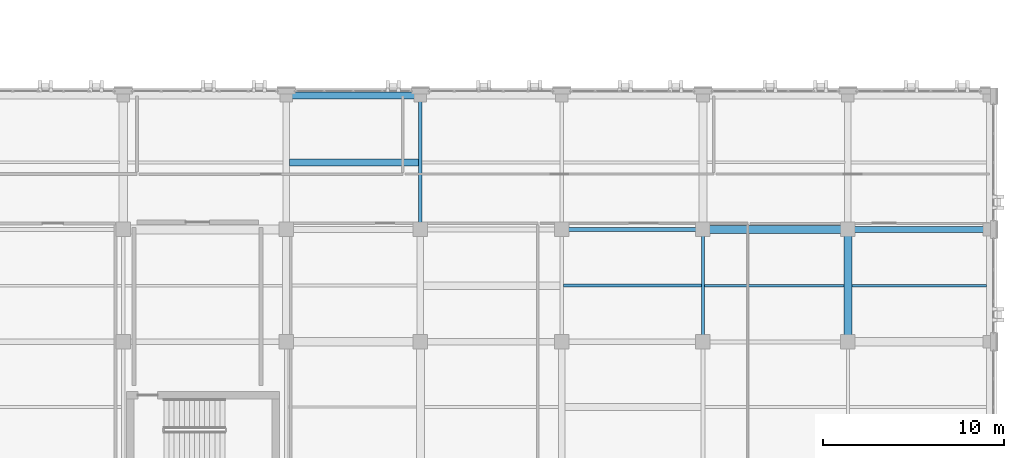
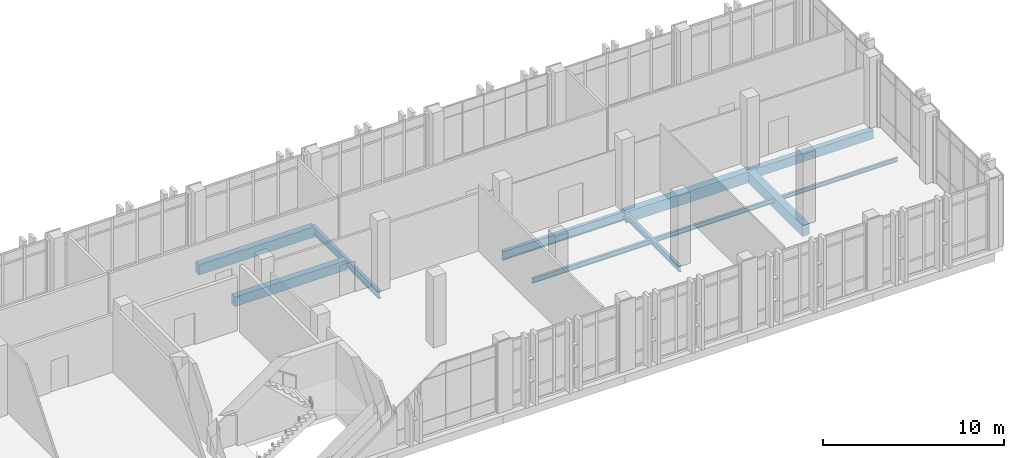
# One storey, part 120 of 189: 11 beams.
"""IFC4 building model written with IfcOpenShell, lengths in metres."""

from ifc_helpers import new_model, si_unit, direction, frame, origin, origin_2d, place, context, subcontext, project, spatial, rectangle, i_section, extrude, material, material_profile, profile_set, type_object, element, save


model = new_model("IFC4")

# Units and contexts
model_context = context("Model", 3, precision=1e-05, world=origin(), true_north=direction((0.0, 1.0)))
body_context = subcontext(model_context, "Body", "Model", "MODEL_VIEW")
ifc_project = project(units=[si_unit("LENGTHUNIT", "METRE"), si_unit("AREAUNIT", "SQUARE_METRE"), si_unit("VOLUMEUNIT", "CUBIC_METRE"), si_unit("PLANEANGLEUNIT", "RADIAN"), si_unit("MASSUNIT", "GRAM", prefix="KILO")], contexts=[model_context])

# Site, building, storey
site_placement = place(None, origin())
site = spatial("IfcSite", under=ifc_project, at=site_placement, CompositionType="ELEMENT")
building_placement = place(site_placement, origin())
building = spatial("IfcBuilding", under=site, at=building_placement, Name="Qalavern Law Courts", CompositionType="ELEMENT")
storey_placement = place(building_placement, frame((0.0, 0.0, 5.39990234375)))
storey = spatial("IfcBuildingStorey", under=building, at=storey_placement, Name="L01", CompositionType="ELEMENT", Elevation=5.39990234375)

# Beams
ifc_material_1 = material(Name="Steel S355", Category="steel")
ifc_material_profile_1 = material_profile(ifc_material_1, i_section(OverallWidth=0.179931640625, OverallDepth=0.39990234375, WebThickness=0.008544921875, FlangeThickness=0.013427734375, FilletRadius=0.02099609375, at=origin_2d()), Name="IPE 400")
ifc_profile_set_1 = profile_set([ifc_material_profile_1], Name="Steel S355")
beam_type_1 = type_object("IfcBeamType", Name="STR-BM-IPE400", PredefinedType="BEAM", material=ifc_profile_set_1)
beam_1_placement = place(storey_placement, frame((149.800048828125, 8.60009765625, -0.5), z_axis=(0.0, 1.0, 0.0), x_axis=(-1.0, 0.0, 0.0)))
element("IfcBeam", 1, at=beam_1_placement, inside=storey, type_object=beam_type_1, Name="V6 Y-beam 7-2 L01", PredefinedType="BEAM", context=body_context, shape_type="SweptSolid", body=[
    extrude(i_section(OverallWidth=0.179931640625, OverallDepth=0.39990234375, WebThickness=0.008544921875, FlangeThickness=0.013427734375, FilletRadius=0.02099609375, at=origin_2d()), origin(), (0.0, 0.0, 1.0), 6.199951171875),
])
ifc_material_profile_2 = material_profile(ifc_material_1, i_section(OverallWidth=0.199951171875, OverallDepth=0.5, WebThickness=0.01025390625, FlangeThickness=0.01611328125, FilletRadius=0.02099609375, at=origin_2d()), Name="IPE 500")
ifc_profile_set_2 = profile_set([ifc_material_profile_2], Name="Steel S355")
beam_type_2 = type_object("IfcBeamType", Name="STR-BM-IPE500", PredefinedType="BEAM", material=ifc_profile_set_2)
beam_2_placement = place(storey_placement, frame((134.199951171875, 14.800048828125, -0.5498046875), z_axis=(0.0, 1.0, 0.0), x_axis=(-1.0, 0.0, 0.0)))
element("IfcBeam", 2, at=beam_2_placement, inside=storey, type_object=beam_type_2, Name="V6 Y-beam 5-3 L01", PredefinedType="BEAM", context=body_context, shape_type="SweptSolid", body=[
    extrude(i_section(OverallWidth=0.199951171875, OverallDepth=0.5, WebThickness=0.01025390625, FlangeThickness=0.01611328125, FilletRadius=0.02099609375, at=origin_2d()), origin(), (0.0, 0.0, 1.0), 7.39990234375),
])
ifc_material_profile_3 = material_profile(ifc_material_1, i_section(OverallWidth=0.219970703125, OverallDepth=0.60009765625, WebThickness=0.011962890625, FlangeThickness=0.01904296875, FilletRadius=0.02392578125, at=origin_2d()), Name="IPE 600")
ifc_profile_set_3 = profile_set([ifc_material_profile_3], Name="Steel S355")
beam_type_3 = type_object("IfcBeamType", Name="STR-BM-IPE600", PredefinedType="BEAM", material=ifc_profile_set_3)
beam_3_placement = place(storey_placement, frame((142.0, 14.800048828125, -0.599853515625), z_axis=(1.0, 0.0, 0.0), x_axis=(0.0, 1.0, 0.0)))
element("IfcBeam", 3, at=beam_3_placement, inside=storey, type_object=beam_type_3, Name="V6 X-beam 3-6 L01", PredefinedType="BEAM", context=body_context, shape_type="SweptSolid", body=[
    extrude(i_section(OverallWidth=0.219970703125, OverallDepth=0.60009765625, WebThickness=0.011962890625, FlangeThickness=0.01904296875, FilletRadius=0.02392578125, at=origin_2d()), origin(), (0.0, 0.0, 1.0), 7.800048828125),
])
ifc_material_2 = material(Name="Concrete C35/45", Category="concrete")
ifc_material_profile_4 = material_profile(ifc_material_2, rectangle(XDim=0.35009765625, YDim=0.60009765625, at=origin_2d()), Name="RC 350x600")
ifc_profile_set_4 = profile_set([ifc_material_profile_4], Name="Concrete C35/45")
beam_type_4 = type_object("IfcBeamType", Name="STR-BM-RC350x600", PredefinedType="BEAM", material=ifc_profile_set_4)
beam_4_placement = place(storey_placement, frame((157.800048828125, 14.800048828125, -0.599853515625), z_axis=(1.0, 0.0, 0.0), x_axis=(0.0, 1.0, 0.0)))
element("IfcBeam", 4, at=beam_4_placement, inside=storey, type_object=beam_type_4, Name="V6 X-beam 3-8 L01", PredefinedType="BEAM", context=body_context, shape_type="SweptSolid", body=[
    extrude(rectangle(XDim=0.35009765625, YDim=0.60009765625, at=origin_2d()), origin(), (0.0, 0.0, 1.0), 7.800048828125),
])
ifc_material_3 = material(Name="Concrete C40/50", Category="concrete")
ifc_material_profile_5 = material_profile(ifc_material_3, rectangle(XDim=0.449951171875, YDim=0.75, at=origin_2d()), Name="RC 450x750")
ifc_profile_set_5 = profile_set([ifc_material_profile_5], Name="Concrete C40/50")
beam_type_5 = type_object("IfcBeamType", Name="STR-BM-RC450x750", PredefinedType="BEAM", material=ifc_profile_set_5)
beam_5_placement = place(storey_placement, frame((149.800048828125, 14.800048828125, -0.6748046875), z_axis=(1.0, 0.0, 0.0), x_axis=(0.0, 1.0, 0.0)))
element("IfcBeam", 5, at=beam_5_placement, inside=storey, type_object=beam_type_5, Name="V6 X-beam 3-7 L01", PredefinedType="BEAM", context=body_context, shape_type="SweptSolid", body=[
    extrude(rectangle(XDim=0.449951171875, YDim=0.75, at=origin_2d()), origin(), (0.0, 0.0, 1.0), 8.0),
])
beam_6_placement = place(storey_placement, frame((157.800048828125, 8.60009765625, -0.6748046875), z_axis=(0.0, 1.0, 0.0), x_axis=(-1.0, 0.0, 0.0)))
element("IfcBeam", 6, at=beam_6_placement, inside=storey, type_object=beam_type_5, Name="V6 Y-beam 8-2 L01", PredefinedType="BEAM", context=body_context, shape_type="SweptSolid", body=[
    extrude(rectangle(XDim=0.449951171875, YDim=0.75, at=origin_2d()), origin(), (0.0, 0.0, 1.0), 6.199951171875),
])
ifc_material_profile_6 = material_profile(ifc_material_1, i_section(OverallWidth=0.135009765625, OverallDepth=0.27001953125, WebThickness=0.006591796875, FlangeThickness=0.01025390625, FilletRadius=0.014892578125, at=origin_2d()), Name="IPE 270")
ifc_profile_set_6 = profile_set([ifc_material_profile_6], Name="Steel S355")
beam_type_6 = type_object("IfcBeamType", Name="STR-JST-IPE270", PredefinedType="JOIST", material=ifc_profile_set_6)
beam_7_placement = place(storey_placement, frame((158.02294921875, 11.699951171875, -0.434814453125), z_axis=(1.0, 0.0, 0.0), x_axis=(0.0, 1.0, 0.0)))
element("IfcBeam", 7, at=beam_7_placement, inside=storey, type_object=beam_type_6, Name="V6 secondary joist 8.2.1 L01", PredefinedType="JOIST", context=body_context, shape_type="SweptSolid", body=[
    extrude(i_section(OverallWidth=0.135009765625, OverallDepth=0.27001953125, WebThickness=0.006591796875, FlangeThickness=0.01025390625, FilletRadius=0.014892578125, at=origin_2d()), origin(), (0.0, 0.0, 1.0), 7.428955078125),
])
ifc_material_profile_7 = material_profile(ifc_material_1, i_section(OverallWidth=0.14990234375, OverallDepth=0.300048828125, WebThickness=0.007080078125, FlangeThickness=0.0107421875, FilletRadius=0.014892578125, at=origin_2d()), Name="IPE 300")
ifc_profile_set_7 = profile_set([ifc_material_profile_7], Name="Steel S355")
beam_type_7 = type_object("IfcBeamType", Name="STR-JST-IPE300", PredefinedType="JOIST", material=ifc_profile_set_7)
beam_8_placement = place(storey_placement, frame((149.887939453125, 11.699951171875, -0.449951171875), z_axis=(1.0, 0.0, 0.0), x_axis=(0.0, 1.0, 0.0)))
element("IfcBeam", 8, at=beam_8_placement, inside=storey, type_object=beam_type_7, Name="V6 secondary joist 7.2.1 L01", PredefinedType="JOIST", context=body_context, shape_type="SweptSolid", body=[
    extrude(i_section(OverallWidth=0.14990234375, OverallDepth=0.300048828125, WebThickness=0.007080078125, FlangeThickness=0.0107421875, FilletRadius=0.014892578125, at=origin_2d()), origin(), (0.0, 0.0, 1.0), 7.68896484375),
])
ifc_material_profile_8 = material_profile(ifc_material_1, i_section(OverallWidth=0.159912109375, OverallDepth=0.330078125, WebThickness=0.007568359375, FlangeThickness=0.011474609375, FilletRadius=0.01806640625, at=origin_2d()), Name="IPE 330")
ifc_profile_set_8 = profile_set([ifc_material_profile_8], Name="Steel S355")
beam_type_8 = type_object("IfcBeamType", Name="STR-JST-IPE330", PredefinedType="JOIST", material=ifc_profile_set_8)
beam_9_placement = place(storey_placement, frame((142.097900390625, 11.699951171875, -0.46484375), z_axis=(1.0, 0.0, 0.0), x_axis=(0.0, 1.0, 0.0)))
element("IfcBeam", 9, at=beam_9_placement, inside=storey, type_object=beam_type_8, Name="V6 secondary joist 6.2.1 L01", PredefinedType="JOIST", context=body_context, shape_type="SweptSolid", body=[
    extrude(i_section(OverallWidth=0.159912109375, OverallDepth=0.330078125, WebThickness=0.007568359375, FlangeThickness=0.011474609375, FilletRadius=0.01806640625, at=origin_2d()), origin(), (0.0, 0.0, 1.0), 7.614013671875),
])
ifc_material_profile_9 = material_profile(ifc_material_2, rectangle(XDim=0.39990234375, YDim=0.64990234375, at=origin_2d()), Name="RC 400x650")
ifc_profile_set_9 = profile_set([ifc_material_profile_9], Name="Concrete C35/45")
beam_type_9 = type_object("IfcBeamType", Name="STR-JST-RC400x650", PredefinedType="JOIST", material=ifc_profile_set_9)
beam_10_placement = place(storey_placement, frame((126.972900390625, 18.5, -0.625), z_axis=(1.0, 0.0, 0.0), x_axis=(0.0, 1.0, 0.0)))
element("IfcBeam", 10, at=beam_10_placement, inside=storey, type_object=beam_type_9, Name="V6 secondary joist 4.3.1 L01", PredefinedType="JOIST", context=body_context, shape_type="SweptSolid", body=[
    extrude(rectangle(XDim=0.39990234375, YDim=0.64990234375, at=origin_2d()), origin(), (0.0, 0.0, 1.0), 7.129150390625),
])
ifc_material_profile_10 = material_profile(ifc_material_3, rectangle(XDim=0.39990234375, YDim=0.699951171875, at=origin_2d()), Name="RC 400x700")
ifc_profile_set_10 = profile_set([ifc_material_profile_10], Name="Concrete C40/50")
beam_type_10 = type_object("IfcBeamType", Name="STR-SP-RC400x700", PredefinedType="SPANDREL", material=ifc_profile_set_10)
beam_11_placement = place(storey_placement, frame((126.800048828125, 22.199951171875, -0.64990234375), z_axis=(1.0, 0.0, 0.0), x_axis=(0.0, 1.0, 0.0)))
element("IfcBeam", 11, at=beam_11_placement, inside=storey, type_object=beam_type_10, Name="V6 X-beam 4-4 L01", PredefinedType="SPANDREL", context=body_context, shape_type="SweptSolid", body=[
    extrude(rectangle(XDim=0.39990234375, YDim=0.699951171875, at=origin_2d()), origin(), (0.0, 0.0, 1.0), 7.39990234375),
])

save(model, "model.ifc")
